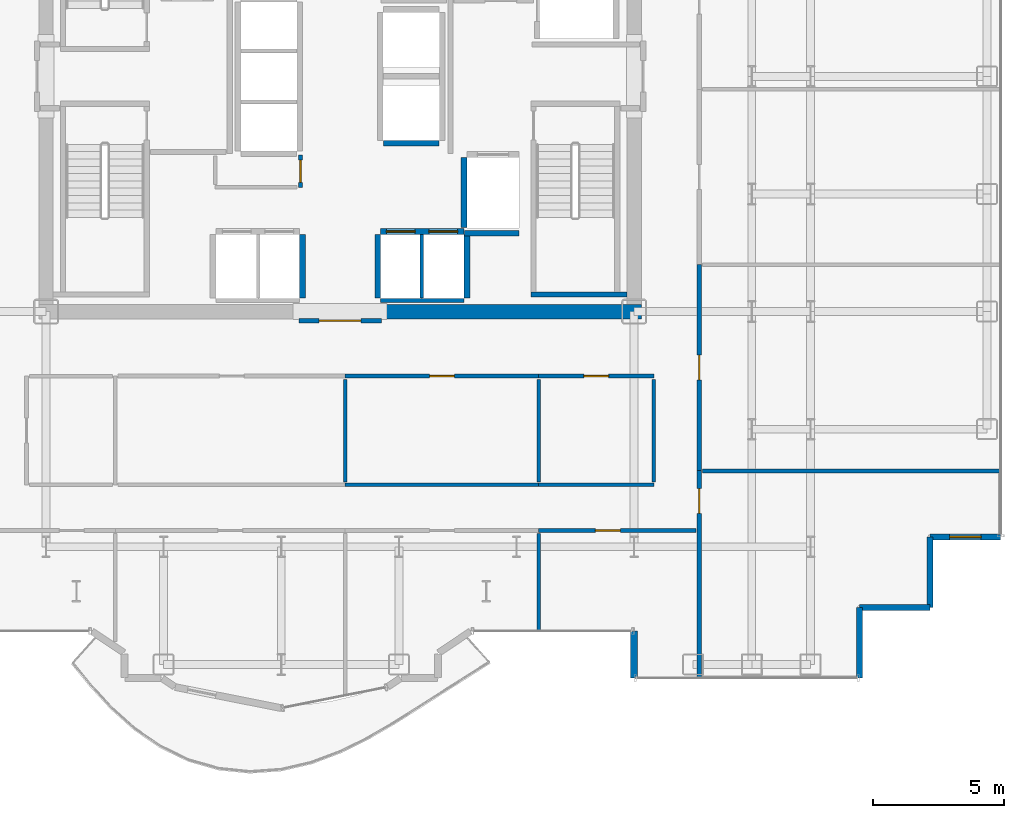
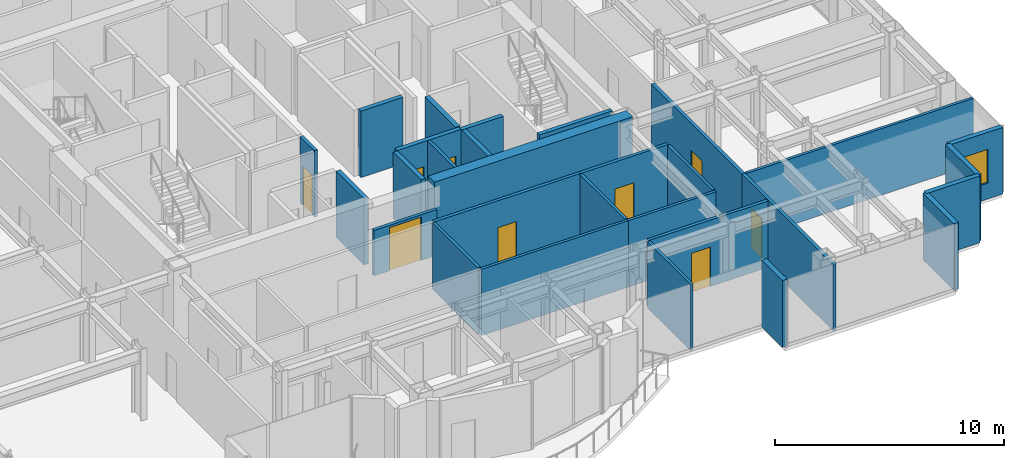
# One storey, part 17 of 23: 30 walls, 9 doors, 1 window, 10 openings.
"""IFC4 building model written with IfcOpenShell, lengths in metres."""

from ifc_helpers import new_model, si_unit, direction, frame, frame_2d, origin, place, context, subcontext, project, spatial, rectangle, extrude, source, transform, mapped, material, layer, layer_set, type_object, element, fill, save


model = new_model("IFC4")

# Units and contexts
model_context = context("Model", 3, precision=1e-05, world=origin(), true_north=direction((0.0, 1.0)))
body_context = subcontext(model_context, "Body", "Model", "MODEL_VIEW")
ifc_project = project(units=[si_unit("LENGTHUNIT", "METRE"), si_unit("AREAUNIT", "SQUARE_METRE"), si_unit("VOLUMEUNIT", "CUBIC_METRE"), si_unit("PLANEANGLEUNIT", "RADIAN"), si_unit("MASSUNIT", "GRAM", prefix="KILO")], contexts=[model_context])

# Site, building, storey
site_placement = place(None, origin())
site = spatial("IfcSite", under=ifc_project, at=site_placement, CompositionType="ELEMENT")
building_placement = place(site_placement, origin())
building = spatial("IfcBuilding", under=site, at=building_placement, Name="Nefas-Gora Pilgrimage Tower", CompositionType="ELEMENT")
storey_placement = place(building_placement, frame((0.0, 0.0, 164.0)))
storey = spatial("IfcBuildingStorey", under=building, at=storey_placement, Name="L40", CompositionType="ELEMENT", Elevation=164.0)

# Walls
ifc_material_1 = material(Name="Concrete C60/75", Category="concrete")
ifc_layer_1 = layer(ifc_material_1, 0.550048828125)
ifc_layer_set_1 = layer_set([ifc_layer_1], Name="Concrete C60/75")
wall_type_1 = type_object("IfcWallType", Name="SW-CORE-550", PredefinedType="SHEAR", material=ifc_layer_set_1)
shared_shape_1 = source(origin(), body_context, "Body", "SweptSolid", [
    extrude(rectangle(XDim=9.974853515625, YDim=0.550048828125, at=frame_2d((4.9873046875, 0.0))), origin(), (0.0, 0.0, 1.0), 3.800048828125),
])
wall_1_placement = place(storey_placement, frame((1.550048828125, -9.0, 0.0), z_axis=(0.0, 0.0, 1.0), x_axis=(1.0, 0.0, 0.0)))
element("IfcWall", 1, at=wall_1_placement, inside=storey, type_object=wall_type_1, Name="L40 Core Shear Wall S-East", PredefinedType="SHEAR", context=body_context, shape_type="MappedRepresentation", body=[
    mapped(shared_shape_1, transform((0.0, 0.0, 0.0), x_axis=(1.0, 0.0, 0.0), y_axis=(0.0, 1.0, 0.0), z_axis=(0.0, 0.0, 1.0), scale=1.0)),
])
ifc_material_2 = material(Name="Precast concrete C40/50", Category="concrete")
ifc_layer_2 = layer(ifc_material_2, 0.260009765625)
ifc_layer_set_2 = layer_set([ifc_layer_2], Name="Precast concrete C40/50")
wall_type_2 = type_object("IfcWallType", Name="EW-PORTAL-260", PredefinedType="SOLIDWALL", material=ifc_layer_set_2)
shared_shape_2 = source(origin(), body_context, "Body", "SweptSolid", [
    extrude(rectangle(XDim=1.800048828125, YDim=0.260009765625, at=frame_2d((0.89990234375, 0.0))), origin(), (0.0, 0.0, 1.0), 3.550048828125),
])
wall_2_placement = place(storey_placement, frame((11.25, -21.219970703125, 0.0), z_axis=(0.0, 0.0, 1.0), x_axis=(0.0, -1.0, 0.0)))
element("IfcWall", 2, at=wall_2_placement, inside=storey, type_object=wall_type_2, Name="L40 Lobe Shoulder Precast Spandrel Pier 1", PredefinedType="SOLIDWALL", context=body_context, shape_type="MappedRepresentation", body=[
    mapped(shared_shape_2, transform((0.0, 0.0, 0.0), x_axis=(1.0, 0.0, 0.0), y_axis=(0.0, 1.0, 0.0), z_axis=(0.0, 0.0, 1.0), scale=1.0)),
])
ifc_material_3 = material(Name="Precast concrete C45/55", Category="concrete")
ifc_layer_3 = layer(ifc_material_3, 0.239990234375)
ifc_layer_set_3 = layer_set([ifc_layer_3], Name="Precast concrete C45/55")
wall_type_3 = type_object("IfcWallType", Name="EW-SERR-240", PredefinedType="SHEAR", material=ifc_layer_set_3)
shared_shape_3 = source(origin(), body_context, "Body", "SweptSolid", [
    extrude(rectangle(XDim=2.699951171875, YDim=0.239990234375, at=frame_2d((1.35009765625, 0.0))), origin(), (0.0, 0.0, 1.0), 3.550048828125),
])
for number, where, z_axis, x_axis, name in (
    (3, (19.8701171875, -23.02001953125, 0.0), (0.0, 0.0, 1.0), (0.0, 1.0, 0.0), "L40 Serrated Corner Shear Pier Wall 2"),
    (4, (19.8701171875, -20.320068359375, 0.0), (0.0, 0.0, 1.0), (1.0, 0.0, 0.0), "L40 Serrated Corner Shear Pier Wall 3"),
    (5, (22.570068359375, -20.320068359375, 0.0), (0.0, 0.0, 1.0), (0.0, 1.0, 0.0), "L40 Serrated Corner Shear Pier Wall 4"),
):
    element("IfcWall", number, at=place(storey_placement, frame(where, z_axis=z_axis, x_axis=x_axis)), inside=storey, type_object=wall_type_3, Name=name, PredefinedType="SHEAR", context=body_context, shape_type="MappedRepresentation", body=[
        mapped(shared_shape_3, transform((0.0, 0.0, 0.0), x_axis=(1.0, 0.0, 0.0), y_axis=(0.0, 1.0, 0.0), z_axis=(0.0, 0.0, 1.0), scale=1.0)),
    ])

# Wall, opening, window
wall_3_placement = place(storey_placement, frame((22.570068359375, -17.6201171875, 0.0), z_axis=(0.0, 0.0, 1.0), x_axis=(1.0, 0.0, 0.0)))
wall_3 = element("IfcWall", 6, at=wall_3_placement, inside=storey, type_object=wall_type_3, Name="L40 Serrated Corner Shear Pier Wall 5", PredefinedType="SHEAR", context=body_context, shape_type="MappedRepresentation", body=[
    mapped(shared_shape_3, transform((0.0, 0.0, 0.0), x_axis=(1.0, 0.0, 0.0), y_axis=(0.0, 1.0, 0.0), z_axis=(0.0, 0.0, 1.0), scale=1.0)),
])
opening_1_placement = place(wall_3_placement, frame((0.75, 0.0, 0.85009765625)))
opening_1 = element("IfcOpeningElement", 7, at=opening_1_placement, cuts=wall_3, Name="Opening W-V1", PredefinedType="OPENING", context=body_context, shape_type="SweptSolid", body=[
    extrude(rectangle(XDim=1.199951171875, YDim=1.800048828125, at=frame_2d((0.60009765625, 0.89990234375))), frame((0.0, 0.1298828125, 0.0), z_axis=(0.0, -1.0, 0.0), x_axis=(1.0, 0.0, 0.0)), (0.0, 0.0, 1.0), 0.260009765625),
])
ifc_material_4 = material(Name="Dark ceramic-fritted operable aluminium-glass window", Category="aluminium")
window_type = type_object("IfcWindowType", Name="WIN-VENT-1200x1800", PartitioningType="SINGLE_PANEL", PredefinedType="WINDOW", material=ifc_material_4)
shared_shape_4 = source(origin(), body_context, "Body", "SweptSolid", [
    extrude(rectangle(XDim=1.199951171875, YDim=1.800048828125, at=frame_2d((0.60009765625, 0.89990234375))), frame((0.0, 0.030029296875, 0.0), z_axis=(0.0, -1.0, 0.0), x_axis=(1.0, 0.0, 0.0)), (0.0, 0.0, 1.0), 0.06005859375),
])
window_placement = place(opening_1_placement, origin())
window = element("IfcWindow", 8, at=window_placement, inside=storey, type_object=window_type, Name="L40 Operable Parallel-Outswing Window 5", OverallHeight=1.800048828125, OverallWidth=1.199951171875, PartitioningType="SINGLE_PANEL", PredefinedType="WINDOW", context=body_context, shape_type="MappedRepresentation", body=[
    mapped(shared_shape_4, transform((0.0, 0.0, 0.0), x_axis=(1.0, 0.0, 0.0), y_axis=(0.0, 1.0, 0.0), z_axis=(0.0, 0.0, 1.0), scale=1.0)),
])
fill(opening_1, window)

# Walls
ifc_material_5 = material(Name="Concrete C45/55", Category="concrete")
ifc_layer_4 = layer(ifc_material_5, 0.199951171875)
ifc_layer_set_4 = layer_set([ifc_layer_4], Name="Concrete C45/55")
wall_type_4 = type_object("IfcWallType", Name="IW-STAIR-200", PredefinedType="SOLIDWALL", material=ifc_layer_set_4)
shared_shape_5 = source(origin(), body_context, "Body", "SweptSolid", [
    extrude(rectangle(XDim=3.679931640625, YDim=0.199951171875, at=frame_2d((1.83984375, 0.0))), origin(), (0.0, 0.0, 1.0), 3.800048828125),
])
wall_4_placement = place(storey_placement, frame((7.300048828125, -8.35009765625, 0.0), z_axis=(0.0, 0.0, 1.0), x_axis=(1.0, 0.0, 0.0)))
element("IfcWall", 9, at=wall_4_placement, inside=storey, type_object=wall_type_4, Name="L40 Stairwell Shear Wall ST-02-far", PredefinedType="SOLIDWALL", context=body_context, shape_type="MappedRepresentation", body=[
    mapped(shared_shape_5, transform((0.0, 0.0, 0.0), x_axis=(1.0, 0.0, 0.0), y_axis=(0.0, 1.0, 0.0), z_axis=(0.0, 0.0, 1.0), scale=1.0)),
])
ifc_material_6 = material(Name="Concrete C40/50", Category="concrete")
ifc_layer_5 = layer(ifc_material_6, 0.219970703125)
ifc_layer_set_5 = layer_set([ifc_layer_5], Name="Concrete C40/50")
wall_type_5 = type_object("IfcWallType", Name="IW-SHAFT-220", PredefinedType="SOLIDWALL", material=ifc_layer_set_5)
shared_shape_6 = source(origin(), body_context, "Body", "SweptSolid", [
    extrude(rectangle(XDim=2.679931640625, YDim=0.219970703125, at=frame_2d((1.33984375, 0.0))), origin(), (0.0, 0.0, 1.0), 3.534912109375),
])
wall_5_placement = place(storey_placement, frame((4.739990234375, -3.110107421875, 0.0), z_axis=(0.0, 0.0, 1.0), x_axis=(0.0, -1.0, 0.0)))
element("IfcWall", 10, at=wall_5_placement, inside=storey, type_object=wall_type_5, Name="L40 Hoistway Wall FFL-02-W", PredefinedType="SOLIDWALL", context=body_context, shape_type="MappedRepresentation", body=[
    mapped(shared_shape_6, transform((0.0, 0.0, 0.0), x_axis=(1.0, 0.0, 0.0), y_axis=(0.0, 1.0, 0.0), z_axis=(0.0, 0.0, 1.0), scale=1.0)),
])

# Wall, openings, doors
shared_shape_7 = source(origin(), body_context, "Body", "SweptSolid", [
    extrude(rectangle(XDim=3.199951171875, YDim=0.219970703125, at=frame_2d((1.60009765625, 0.0))), origin(), (0.0, 0.0, 1.0), 3.534912109375),
])
wall_6_placement = place(storey_placement, frame((4.75, -5.93994140625, 0.0), z_axis=(0.0, 0.0, 1.0), x_axis=(-1.0, 0.0, 0.0)))
wall_6 = element("IfcWall", 11, at=wall_6_placement, inside=storey, type_object=wall_type_5, Name="L40 Hoistway Wall PL2-E-N", PredefinedType="SOLIDWALL", context=body_context, shape_type="MappedRepresentation", body=[
    mapped(shared_shape_7, transform((0.0, 0.0, 0.0), x_axis=(1.0, 0.0, 0.0), y_axis=(0.0, 1.0, 0.0), z_axis=(0.0, 0.0, 1.0), scale=1.0)),
])
opening_2_placement = place(wall_6_placement, frame((1.875, 0.0, 0.0)))
opening_2 = element("IfcOpeningElement", 12, at=opening_2_placement, cuts=wall_6, Name="Opening LD-01", PredefinedType="OPENING", context=body_context, shape_type="SweptSolid", body=[
    extrude(rectangle(XDim=1.10009765625, YDim=2.199951171875, at=frame_2d((0.550048828125, 1.10009765625))), frame((0.0, 0.119873046875, 0.0), z_axis=(0.0, -1.0, 0.0), x_axis=(1.0, 0.0, 0.0)), (0.0, 0.0, 1.0), 0.239990234375),
])
opening_3_placement = place(wall_6_placement, frame((0.25, 0.0, 0.0)))
opening_3 = element("IfcOpeningElement", 13, at=opening_3_placement, cuts=wall_6, Name="Opening LD-01", PredefinedType="OPENING", context=body_context, shape_type="SweptSolid", body=[
    extrude(rectangle(XDim=1.10009765625, YDim=2.199951171875, at=frame_2d((0.550048828125, 1.10009765625))), frame((0.0, 0.119873046875, 0.0), z_axis=(0.0, -1.0, 0.0), x_axis=(1.0, 0.0, 0.0)), (0.0, 0.0, 1.0), 0.239990234375),
])
ifc_material_7 = material(Name="Brushed stainless sliding lift landing door")
door_type_1 = type_object("IfcDoorType", Name="DR-LIFT-PASS-1100", OperationType="DOUBLE_DOOR_SLIDING", PredefinedType="DOOR", material=ifc_material_7)
shared_shape_8 = source(origin(), body_context, "Body", "SweptSolid", [
    extrude(rectangle(XDim=1.10009765625, YDim=2.199951171875, at=frame_2d((0.550048828125, 1.10009765625))), frame((0.0, 0.02490234375, 0.0), z_axis=(0.0, -1.0, 0.0), x_axis=(1.0, 0.0, 0.0)), (0.0, 0.0, 1.0), 0.050048828125),
])
door_1_placement = place(opening_2_placement, origin())
door_1 = element("IfcDoor", 14, at=door_1_placement, inside=storey, type_object=door_type_1, Name="L40 Sliding Lift Landing Door PL2-03", OperationType="DOUBLE_DOOR_SLIDING", OverallHeight=2.199951171875, OverallWidth=1.10009765625, PredefinedType="DOOR", context=body_context, shape_type="MappedRepresentation", body=[
    mapped(shared_shape_8, transform((0.0, 0.0, 0.0), x_axis=(1.0, 0.0, 0.0), y_axis=(0.0, 1.0, 0.0), z_axis=(0.0, 0.0, 1.0), scale=1.0)),
])
fill(opening_2, door_1)
door_2_placement = place(opening_3_placement, origin())
door_2 = element("IfcDoor", 15, at=door_2_placement, inside=storey, type_object=door_type_1, Name="L40 Sliding Lift Landing Door PL2-04", OperationType="DOUBLE_DOOR_SLIDING", OverallHeight=2.199951171875, OverallWidth=1.10009765625, PredefinedType="DOOR", context=body_context, shape_type="MappedRepresentation", body=[
    mapped(shared_shape_8, transform((0.0, 0.0, 0.0), x_axis=(1.0, 0.0, 0.0), y_axis=(0.0, 1.0, 0.0), z_axis=(0.0, 0.0, 1.0), scale=1.0)),
])
fill(opening_3, door_2)

# Walls
ifc_material_8 = material(Name="Gypsum acoustic stud partition")
ifc_layer_6 = layer(ifc_material_8, 0.159912109375)
ifc_layer_set_6 = layer_set([ifc_layer_6], Name="Gypsum acoustic stud partition")
wall_type_6 = type_object("IfcWallType", Name="IW-CORR-160", PredefinedType="PARTITIONING", material=ifc_layer_set_6)
shared_shape_9 = source(origin(), body_context, "Body", "SweptSolid", [
    extrude(rectangle(XDim=3.199951171875, YDim=0.159912109375, at=frame_2d((1.60009765625, 0.0))), origin(), (0.0, 0.0, 1.0), 2.425048828125),
])
wall_7_placement = place(storey_placement, frame((1.550048828125, -8.580078125, 0.0), z_axis=(0.0, 0.0, 1.0), x_axis=(1.0, 0.0, 0.0)))
element("IfcWall", 16, at=wall_7_placement, inside=storey, type_object=wall_type_6, Name="L40 Hoistway Wall PL2-E-S", PredefinedType="PARTITIONING", context=body_context, shape_type="MappedRepresentation", body=[
    mapped(shared_shape_9, transform((0.0, 0.0, 0.0), x_axis=(1.0, 0.0, 0.0), y_axis=(0.0, 1.0, 0.0), z_axis=(0.0, 0.0, 1.0), scale=1.0)),
])
shared_shape_10 = source(origin(), body_context, "Body", "SweptSolid", [
    extrude(rectangle(XDim=2.429931640625, YDim=0.219970703125, at=frame_2d((1.21484375, 0.0))), origin(), (0.0, 0.0, 1.0), 3.534912109375),
])
for number, where, z_axis, x_axis, name in (
    (17, (-1.43994140625, -8.489990234375, 0.0), (0.0, 0.0, 1.0), (0.0, 1.0, 0.0), "L40 Hoistway Wall PL2-W-E"),
    (18, (1.43994140625, -6.06005859375, 0.0), (0.0, 0.0, 1.0), (0.0, -1.0, 0.0), "L40 Hoistway Wall PL2-E-W"),
    (19, (4.860107421875, -8.489990234375, 0.0), (0.0, 0.0, 1.0), (0.0, 1.0, 0.0), "L40 Hoistway Wall PL2-E-E"),
):
    element("IfcWall", number, at=place(storey_placement, frame(where, z_axis=z_axis, x_axis=x_axis)), inside=storey, type_object=wall_type_5, Name=name, PredefinedType="SOLIDWALL", context=body_context, shape_type="MappedRepresentation", body=[
        mapped(shared_shape_10, transform((0.0, 0.0, 0.0), x_axis=(1.0, 0.0, 0.0), y_axis=(0.0, 1.0, 0.0), z_axis=(0.0, 0.0, 1.0), scale=1.0)),
    ])
ifc_material_9 = material(Name="Gypsum twin-stud partition")
ifc_layer_7 = layer(ifc_material_9, 0.139892578125)
ifc_layer_set_7 = layer_set([ifc_layer_7], Name="Gypsum twin-stud partition")
wall_type_7 = type_object("IfcWallType", Name="IW-UNIT-140", PredefinedType="PARTITIONING", material=ifc_layer_set_7)
shared_shape_11 = source(origin(), body_context, "Body", "SweptSolid", [
    extrude(rectangle(XDim=2.429931640625, YDim=0.139892578125, at=frame_2d((1.21484375, 0.0))), origin(), (0.0, 0.0, 1.0), 3.534912109375),
])
wall_8_placement = place(storey_placement, frame((3.125, -8.489990234375, 0.0), z_axis=(0.0, 0.0, 1.0), x_axis=(0.0, 1.0, 0.0)))
element("IfcWall", 20, at=wall_8_placement, inside=storey, type_object=wall_type_7, Name="L40 Hoistway Wall PL2-E-DIV", PredefinedType="PARTITIONING", context=body_context, shape_type="MappedRepresentation", body=[
    mapped(shared_shape_11, transform((0.0, 0.0, 0.0), x_axis=(1.0, 0.0, 0.0), y_axis=(0.0, 1.0, 0.0), z_axis=(0.0, 0.0, 1.0), scale=1.0)),
])
shared_shape_12 = source(origin(), body_context, "Body", "SweptSolid", [
    extrude(rectangle(XDim=2.130126953125, YDim=0.219970703125, at=frame_2d((1.06494140625, 0.0))), origin(), (0.0, 0.0, 1.0), 3.534912109375),
])
wall_9_placement = place(storey_placement, frame((1.659912109375, -2.56005859375, 0.0), z_axis=(0.0, 0.0, 1.0), x_axis=(1.0, 0.0, 0.0)))
element("IfcWall", 21, at=wall_9_placement, inside=storey, type_object=wall_type_5, Name="L40 Hoistway Wall OBS-01-S", PredefinedType="SOLIDWALL", context=body_context, shape_type="MappedRepresentation", body=[
    mapped(shared_shape_12, transform((0.0, 0.0, 0.0), x_axis=(1.0, 0.0, 0.0), y_axis=(0.0, 1.0, 0.0), z_axis=(0.0, 0.0, 1.0), scale=1.0)),
])
shared_shape_13 = source(origin(), body_context, "Body", "SweptSolid", [
    extrude(rectangle(XDim=2.09521484375, YDim=0.219970703125, at=frame_2d((1.047607421875, 0.0))), origin(), (0.0, 0.0, 1.0), 3.534912109375),
])
wall_10_placement = place(storey_placement, frame((4.7548828125, -6.0, 0.0), z_axis=(0.0, 0.0, 1.0), x_axis=(1.0, 0.0, 0.0)))
element("IfcWall", 22, at=wall_10_placement, inside=storey, type_object=wall_type_5, Name="L40 Riser Shaft Wall 3", PredefinedType="SOLIDWALL", context=body_context, shape_type="MappedRepresentation", body=[
    mapped(shared_shape_13, transform((0.0, 0.0, 0.0), x_axis=(1.0, 0.0, 0.0), y_axis=(0.0, 1.0, 0.0), z_axis=(0.0, 0.0, 1.0), scale=1.0)),
])

# Wall, opening, door
shared_shape_14 = source(origin(), body_context, "Body", "SweptSolid", [
    extrude(rectangle(XDim=1.25, YDim=0.159912109375, at=frame_2d((0.625, 0.0))), origin(), (0.0, 0.0, 1.0), 3.534912109375),
])
wall_11_placement = place(storey_placement, frame((-1.52001953125, -4.260009765625, 0.0), z_axis=(0.0, 0.0, 1.0), x_axis=(0.0, 1.0, 0.0)))
wall_11 = element("IfcWall", 23, at=wall_11_placement, inside=storey, type_object=wall_type_6, Name="L40 Pilgrim Baggage and Gear Vault Wall 20", PredefinedType="PARTITIONING", context=body_context, shape_type="MappedRepresentation", body=[
    mapped(shared_shape_14, transform((0.0, 0.0, 0.0), x_axis=(1.0, 0.0, 0.0), y_axis=(0.0, 1.0, 0.0), z_axis=(0.0, 0.0, 1.0), scale=1.0)),
])
opening_4_placement = place(wall_11_placement, frame((0.199951171875, 0.0, 0.0)))
opening_4 = element("IfcOpeningElement", 24, at=opening_4_placement, cuts=wall_11, Name="Opening ID-BT1", PredefinedType="OPENING", context=body_context, shape_type="SweptSolid", body=[
    extrude(rectangle(XDim=0.85009765625, YDim=2.10009765625, at=frame_2d((0.425048828125, 1.050048828125))), frame((0.0, 0.08984375, 0.0), z_axis=(0.0, -1.0, 0.0), x_axis=(1.0, 0.0, 0.0)), (0.0, 0.0, 1.0), 0.179931640625),
])
ifc_material_10 = material(Name="Moisture-resistant fire-rated timber door", Category="wood")
door_type_2 = type_object("IfcDoorType", Name="DR-INT-BATH-850", OperationType="NOTDEFINED", PredefinedType="DOOR", material=ifc_material_10)
shared_shape_15 = source(origin(), body_context, "Body", "SweptSolid", [
    extrude(rectangle(XDim=0.85009765625, YDim=2.10009765625, at=frame_2d((0.425048828125, 1.050048828125))), frame((0.0, 0.02490234375, 0.0), z_axis=(0.0, -1.0, 0.0), x_axis=(1.0, 0.0, 0.0)), (0.0, 0.0, 1.0), 0.050048828125),
])
door_3_placement = place(opening_4_placement, origin())
door_3 = element("IfcDoor", 25, at=door_3_placement, inside=storey, type_object=door_type_2, Name="L40 Pilgrim Baggage and Gear Vault Door 8", OperationType="SINGLE_SWING_LEFT", OverallHeight=2.10009765625, OverallWidth=0.85009765625, PredefinedType="DOOR", context=body_context, shape_type="MappedRepresentation", body=[
    mapped(shared_shape_15, transform((0.0, 0.0, 0.0), x_axis=(1.0, 0.0, 0.0), y_axis=(0.0, 1.0, 0.0), z_axis=(0.0, 0.0, 1.0), scale=1.0)),
])
fill(opening_4, door_3)

shared_shape_16 = source(origin(), body_context, "Body", "SweptSolid", [
    extrude(rectangle(XDim=6.025146484375, YDim=0.159912109375, at=frame_2d((3.0126953125, 0.0))), origin(), (0.0, 0.0, 1.0), 3.534912109375),
])
wall_12_placement = place(storey_placement, frame((7.594970703125, -17.3701171875, 0.0), z_axis=(0.0, 0.0, 1.0), x_axis=(1.0, 0.0, 0.0)))
wall_12 = element("IfcWall", 26, at=wall_12_placement, inside=storey, type_object=wall_type_6, Name="L40 Pilgrim Contemplative Lounge Partition Wall 80", PredefinedType="PARTITIONING", context=body_context, shape_type="MappedRepresentation", body=[
    mapped(shared_shape_16, transform((0.0, 0.0, 0.0), x_axis=(1.0, 0.0, 0.0), y_axis=(0.0, 1.0, 0.0), z_axis=(0.0, 0.0, 1.0), scale=1.0)),
])
opening_5_placement = place(wall_12_placement, frame((2.17626953125, 0.0, 0.0)))
opening_5 = element("IfcOpeningElement", 27, at=opening_5_placement, cuts=wall_12, Name="Opening ID-GR1", PredefinedType="OPENING", context=body_context, shape_type="SweptSolid", body=[
    extrude(rectangle(XDim=0.949951171875, YDim=2.10009765625, at=frame_2d((0.47509765625, 1.050048828125))), frame((0.0, 0.08984375, 0.0), z_axis=(0.0, -1.0, 0.0), x_axis=(1.0, 0.0, 0.0)), (0.0, 0.0, 1.0), 0.179931640625),
])
ifc_material_11 = material(Name="Solid core oak fire-rated guest entrance door")
door_type_3 = type_object("IfcDoorType", Name="DR-INT-GUEST-950", OperationType="NOTDEFINED", PredefinedType="DOOR", material=ifc_material_11)
shared_shape_17 = source(origin(), body_context, "Body", "SweptSolid", [
    extrude(rectangle(XDim=0.949951171875, YDim=2.10009765625, at=frame_2d((0.47509765625, 1.050048828125))), frame((0.0, 0.02490234375, 0.0), z_axis=(0.0, -1.0, 0.0), x_axis=(1.0, 0.0, 0.0)), (0.0, 0.0, 1.0), 0.050048828125),
])
door_4_placement = place(opening_5_placement, origin())
door_4 = element("IfcDoor", 28, at=door_4_placement, inside=storey, type_object=door_type_3, Name="L40 Pilgrim Contemplative Lounge Door 35", OperationType="SINGLE_SWING_RIGHT", OverallHeight=2.10009765625, OverallWidth=0.949951171875, PredefinedType="DOOR", context=body_context, shape_type="MappedRepresentation", body=[
    mapped(shared_shape_17, transform((0.0, 0.0, 0.0), x_axis=(1.0, 0.0, 0.0), y_axis=(0.0, 1.0, 0.0), z_axis=(0.0, 0.0, 1.0), scale=1.0)),
])
fill(opening_5, door_4)

shared_shape_18 = source(origin(), body_context, "Body", "SweptSolid", [
    extrude(rectangle(XDim=3.16015625, YDim=0.159912109375, at=frame_2d((1.580078125, 0.0))), origin(), (0.0, 0.0, 1.0), 2.425048828125),
])
wall_13_placement = place(storey_placement, frame((-1.580078125, -9.35009765625, 0.0), z_axis=(0.0, 0.0, 1.0), x_axis=(1.0, 0.0, 0.0)))
wall_13 = element("IfcWall", 29, at=wall_13_placement, inside=storey, type_object=wall_type_6, Name="L40 Central Lift Lobby South Portal Wall 16", PredefinedType="PARTITIONING", context=body_context, shape_type="MappedRepresentation", body=[
    mapped(shared_shape_18, transform((0.0, 0.0, 0.0), x_axis=(1.0, 0.0, 0.0), y_axis=(0.0, 1.0, 0.0), z_axis=(0.0, 0.0, 1.0), scale=1.0)),
])
opening_6_placement = place(wall_13_placement, frame((0.780029296875, 0.0, 0.0)))
opening_6 = element("IfcOpeningElement", 30, at=opening_6_placement, cuts=wall_13, Name="Opening ID-HL1", PredefinedType="OPENING", context=body_context, shape_type="SweptSolid", body=[
    extrude(rectangle(XDim=1.60009765625, YDim=2.300048828125, at=frame_2d((0.800048828125, 1.14990234375))), frame((0.0, 0.08984375, 0.0), z_axis=(0.0, -1.0, 0.0), x_axis=(1.0, 0.0, 0.0)), (0.0, 0.0, 1.0), 0.179931640625),
])
ifc_material_12 = material(Name="Double acoustic timber assembly hall door", Category="wood")
door_type_4 = type_object("IfcDoorType", Name="DR-INT-HALL-1600", OperationType="DOUBLE_DOOR_SINGLE_SWING", PredefinedType="DOOR", material=ifc_material_12)
shared_shape_19 = source(origin(), body_context, "Body", "SweptSolid", [
    extrude(rectangle(XDim=1.60009765625, YDim=2.300048828125, at=frame_2d((0.800048828125, 1.14990234375))), frame((0.0, 0.02490234375, 0.0), z_axis=(0.0, -1.0, 0.0), x_axis=(1.0, 0.0, 0.0)), (0.0, 0.0, 1.0), 0.050048828125),
])
door_5_placement = place(opening_6_placement, origin())
door_5 = element("IfcDoor", 31, at=door_5_placement, inside=storey, type_object=door_type_4, Name="L40 Central Lift Lobby South Portal Door 6", OperationType="DOUBLE_DOOR_SINGLE_SWING", OverallHeight=2.300048828125, OverallWidth=1.60009765625, PredefinedType="DOOR", context=body_context, shape_type="MappedRepresentation", body=[
    mapped(shared_shape_19, transform((0.0, 0.0, 0.0), x_axis=(1.0, 0.0, 0.0), y_axis=(0.0, 1.0, 0.0), z_axis=(0.0, 0.0, 1.0), scale=1.0)),
])
fill(opening_6, door_5)

# Walls
shared_shape_20 = source(origin(), body_context, "Body", "SweptSolid", [
    extrude(rectangle(XDim=11.429931640625, YDim=0.139892578125, at=frame_2d((5.71484375, 0.0))), origin(), (0.0, 0.0, 1.0), 3.534912109375),
])
wall_14_placement = place(storey_placement, frame((13.860107421875, -15.097412109375, 0.0), z_axis=(0.0, 0.0, 1.0), x_axis=(1.0, 0.0, 0.0)))
element("IfcWall", 32, at=wall_14_placement, inside=storey, type_object=wall_type_7, Name="L40 Pilgrim Contemplative Lounge Partition Wall 38", PredefinedType="PARTITIONING", context=body_context, shape_type="MappedRepresentation", body=[
    mapped(shared_shape_20, transform((0.0, 0.0, 0.0), x_axis=(1.0, 0.0, 0.0), y_axis=(0.0, 1.0, 0.0), z_axis=(0.0, 0.0, 1.0), scale=1.0)),
])
shared_shape_21 = source(origin(), body_context, "Body", "SweptSolid", [
    extrude(rectangle(XDim=3.929931640625, YDim=0.139892578125, at=frame_2d((1.96484375, 0.0))), origin(), (0.0, 0.0, 1.0), 3.534912109375),
])
for number, where, z_axis, x_axis, name in (
    (33, (0.195068359375, -15.52001953125, 0.0), (0.0, 0.0, 1.0), (0.0, 1.0, 0.0), "L40 Pilgrim Contemplative Lounge Partition Wall 74"),
    (34, (7.594970703125, -15.52001953125, 0.0), (0.0, 0.0, 1.0), (0.0, 1.0, 0.0), "L40 Pilgrim Contemplative Lounge Partition Wall 79"),
    (35, (12.0, -15.52001953125, 0.0), (0.0, 0.0, 1.0), (0.0, 1.0, 0.0), "L40 Pilgrim Contemplative Lounge Partition Wall 83"),
):
    element("IfcWall", number, at=place(storey_placement, frame(where, z_axis=z_axis, x_axis=x_axis)), inside=storey, type_object=wall_type_7, Name=name, PredefinedType="PARTITIONING", context=body_context, shape_type="MappedRepresentation", body=[
        mapped(shared_shape_21, transform((0.0, 0.0, 0.0), x_axis=(1.0, 0.0, 0.0), y_axis=(0.0, 1.0, 0.0), z_axis=(0.0, 0.0, 1.0), scale=1.0)),
    ])

# Wall, opening, door
shared_shape_22 = source(origin(), body_context, "Body", "SweptSolid", [
    extrude(rectangle(XDim=7.409912109375, YDim=0.159912109375, at=frame_2d((3.705078125, 0.0))), origin(), (0.0, 0.0, 1.0), 3.534912109375),
])
wall_15_placement = place(storey_placement, frame((0.195068359375, -11.469970703125, 0.0), z_axis=(0.0, 0.0, 1.0), x_axis=(1.0, 0.0, 0.0)))
wall_15 = element("IfcWall", 36, at=wall_15_placement, inside=storey, type_object=wall_type_6, Name="L40 Pilgrim Contemplative Lounge Partition Wall 77", PredefinedType="PARTITIONING", context=body_context, shape_type="MappedRepresentation", body=[
    mapped(shared_shape_22, transform((0.0, 0.0, 0.0), x_axis=(1.0, 0.0, 0.0), y_axis=(0.0, 1.0, 0.0), z_axis=(0.0, 0.0, 1.0), scale=1.0)),
])
opening_7_placement = place(wall_15_placement, frame((3.22998046875, 0.0, 0.0)))
opening_7 = element("IfcOpeningElement", 37, at=opening_7_placement, cuts=wall_15, Name="Opening ID-GR1", PredefinedType="OPENING", context=body_context, shape_type="SweptSolid", body=[
    extrude(rectangle(XDim=0.949951171875, YDim=2.10009765625, at=frame_2d((0.47509765625, 1.050048828125))), frame((0.0, 0.08984375, 0.0), z_axis=(0.0, -1.0, 0.0), x_axis=(1.0, 0.0, 0.0)), (0.0, 0.0, 1.0), 0.179931640625),
])
door_6_placement = place(opening_7_placement, origin())
door_6 = element("IfcDoor", 38, at=door_6_placement, inside=storey, type_object=door_type_3, Name="L40 Pilgrim Contemplative Lounge Door 34", OperationType="SINGLE_SWING_LEFT", OverallHeight=2.10009765625, OverallWidth=0.949951171875, PredefinedType="DOOR", context=body_context, shape_type="MappedRepresentation", body=[
    mapped(shared_shape_17, transform((0.0, 0.0, 0.0), x_axis=(1.0, 0.0, 0.0), y_axis=(0.0, 1.0, 0.0), z_axis=(0.0, 0.0, 1.0), scale=1.0)),
])
fill(opening_7, door_6)

# Walls
shared_shape_23 = source(origin(), body_context, "Body", "SweptSolid", [
    extrude(rectangle(XDim=7.409912109375, YDim=0.139892578125, at=frame_2d((3.705078125, 0.0))), origin(), (0.0, 0.0, 1.0), 3.534912109375),
])
wall_16_placement = place(storey_placement, frame((0.195068359375, -15.6298828125, 0.0), z_axis=(0.0, 0.0, 1.0), x_axis=(1.0, 0.0, 0.0)))
element("IfcWall", 39, at=wall_16_placement, inside=storey, type_object=wall_type_7, Name="L40 Pilgrim Contemplative Lounge Partition Wall 78", PredefinedType="PARTITIONING", context=body_context, shape_type="MappedRepresentation", body=[
    mapped(shared_shape_23, transform((0.0, 0.0, 0.0), x_axis=(1.0, 0.0, 0.0), y_axis=(0.0, 1.0, 0.0), z_axis=(0.0, 0.0, 1.0), scale=1.0)),
])
shared_shape_24 = source(origin(), body_context, "Body", "SweptSolid", [
    extrude(rectangle(XDim=3.75, YDim=0.139892578125, at=frame_2d((1.875, 0.0))), origin(), (0.0, 0.0, 1.0), 3.534912109375),
])
wall_17_placement = place(storey_placement, frame((7.594970703125, -21.239990234375, 0.0), z_axis=(0.0, 0.0, 1.0), x_axis=(0.0, 1.0, 0.0)))
element("IfcWall", 40, at=wall_17_placement, inside=storey, type_object=wall_type_7, Name="L40 Pilgrim Contemplative Lounge Partition Wall 76", PredefinedType="PARTITIONING", context=body_context, shape_type="MappedRepresentation", body=[
    mapped(shared_shape_24, transform((0.0, 0.0, 0.0), x_axis=(1.0, 0.0, 0.0), y_axis=(0.0, 1.0, 0.0), z_axis=(0.0, 0.0, 1.0), scale=1.0)),
])

# Wall, opening, door
shared_shape_25 = source(origin(), body_context, "Body", "SweptSolid", [
    extrude(rectangle(XDim=7.95263671875, YDim=0.159912109375, at=frame_2d((3.976318359375, 0.0))), origin(), (0.0, 0.0, 1.0), 3.534912109375),
])
wall_18_placement = place(storey_placement, frame((13.739990234375, -23.0400390625, 0.0), z_axis=(0.0, 0.0, 1.0), x_axis=(0.0, 1.0, 0.0)))
wall_18 = element("IfcWall", 41, at=wall_18_placement, inside=storey, type_object=wall_type_6, Name="L40 Pilgrim Contemplative Lounge Partition Wall 37", PredefinedType="PARTITIONING", context=body_context, shape_type="MappedRepresentation", body=[
    mapped(shared_shape_25, transform((0.0, 0.0, 0.0), x_axis=(1.0, 0.0, 0.0), y_axis=(0.0, 1.0, 0.0), z_axis=(0.0, 0.0, 1.0), scale=1.0)),
])
opening_8_placement = place(wall_18_placement, frame((6.316162109375, 0.0, 0.0)))
opening_8 = element("IfcOpeningElement", 42, at=opening_8_placement, cuts=wall_18, Name="Opening ID-GR1", PredefinedType="OPENING", context=body_context, shape_type="SweptSolid", body=[
    extrude(rectangle(XDim=0.949951171875, YDim=2.10009765625, at=frame_2d((0.47509765625, 1.050048828125))), frame((0.0, 0.08984375, 0.0), z_axis=(0.0, -1.0, 0.0), x_axis=(1.0, 0.0, 0.0)), (0.0, 0.0, 1.0), 0.179931640625),
])
door_7_placement = place(opening_8_placement, origin())
door_7 = element("IfcDoor", 43, at=door_7_placement, inside=storey, type_object=door_type_3, Name="L40 Pilgrim Contemplative Lounge Door 16", OperationType="SINGLE_SWING_LEFT", OverallHeight=2.10009765625, OverallWidth=0.949951171875, PredefinedType="DOOR", context=body_context, shape_type="MappedRepresentation", body=[
    mapped(shared_shape_17, transform((0.0, 0.0, 0.0), x_axis=(1.0, 0.0, 0.0), y_axis=(0.0, 1.0, 0.0), z_axis=(0.0, 0.0, 1.0), scale=1.0)),
])
fill(opening_8, door_7)

shared_shape_26 = source(origin(), body_context, "Body", "SweptSolid", [
    extrude(rectangle(XDim=7.892333984375, YDim=0.159912109375, at=frame_2d((3.9462890625, 0.0))), origin(), (0.0, 0.0, 1.0), 3.534912109375),
])
wall_19_placement = place(storey_placement, frame((13.739990234375, -15.08740234375, 0.0), z_axis=(0.0, 0.0, 1.0), x_axis=(0.0, 1.0, 0.0)))
wall_19 = element("IfcWall", 44, at=wall_19_placement, inside=storey, type_object=wall_type_6, Name="L40 Pilgrim Contemplative Lounge Partition Wall 39", PredefinedType="PARTITIONING", context=body_context, shape_type="MappedRepresentation", body=[
    mapped(shared_shape_26, transform((0.0, 0.0, 0.0), x_axis=(1.0, 0.0, 0.0), y_axis=(0.0, 1.0, 0.0), z_axis=(0.0, 0.0, 1.0), scale=1.0)),
])
opening_9_placement = place(wall_19_placement, frame((3.47119140625, 0.0, 0.0)))
opening_9 = element("IfcOpeningElement", 45, at=opening_9_placement, cuts=wall_19, Name="Opening ID-GR1", PredefinedType="OPENING", context=body_context, shape_type="SweptSolid", body=[
    extrude(rectangle(XDim=0.949951171875, YDim=2.10009765625, at=frame_2d((0.47509765625, 1.050048828125))), frame((0.0, 0.08984375, 0.0), z_axis=(0.0, -1.0, 0.0), x_axis=(1.0, 0.0, 0.0)), (0.0, 0.0, 1.0), 0.179931640625),
])
door_8_placement = place(opening_9_placement, origin())
door_8 = element("IfcDoor", 46, at=door_8_placement, inside=storey, type_object=door_type_3, Name="L40 Pilgrim Contemplative Lounge Door 17", OperationType="SINGLE_SWING_RIGHT", OverallHeight=2.10009765625, OverallWidth=0.949951171875, PredefinedType="DOOR", context=body_context, shape_type="MappedRepresentation", body=[
    mapped(shared_shape_17, transform((0.0, 0.0, 0.0), x_axis=(1.0, 0.0, 0.0), y_axis=(0.0, 1.0, 0.0), z_axis=(0.0, 0.0, 1.0), scale=1.0)),
])
fill(opening_9, door_8)

shared_shape_27 = source(origin(), body_context, "Body", "SweptSolid", [
    extrude(rectangle(XDim=4.4150390625, YDim=0.159912109375, at=frame_2d((2.20751953125, 0.0))), origin(), (0.0, 0.0, 1.0), 3.534912109375),
])
wall_20_placement = place(storey_placement, frame((7.594970703125, -11.469970703125, 0.0), z_axis=(0.0, 0.0, 1.0), x_axis=(1.0, 0.0, 0.0)))
wall_20 = element("IfcWall", 47, at=wall_20_placement, inside=storey, type_object=wall_type_6, Name="L40 Pilgrim Contemplative Lounge Partition Wall 81", PredefinedType="PARTITIONING", context=body_context, shape_type="MappedRepresentation", body=[
    mapped(shared_shape_27, transform((0.0, 0.0, 0.0), x_axis=(1.0, 0.0, 0.0), y_axis=(0.0, 1.0, 0.0), z_axis=(0.0, 0.0, 1.0), scale=1.0)),
])
opening_10_placement = place(wall_20_placement, frame((1.732421875, 0.0, 0.0)))
opening_10 = element("IfcOpeningElement", 48, at=opening_10_placement, cuts=wall_20, Name="Opening ID-GR1", PredefinedType="OPENING", context=body_context, shape_type="SweptSolid", body=[
    extrude(rectangle(XDim=0.949951171875, YDim=2.10009765625, at=frame_2d((0.47509765625, 1.050048828125))), frame((0.0, 0.08984375, 0.0), z_axis=(0.0, -1.0, 0.0), x_axis=(1.0, 0.0, 0.0)), (0.0, 0.0, 1.0), 0.179931640625),
])
door_9_placement = place(opening_10_placement, origin())
door_9 = element("IfcDoor", 49, at=door_9_placement, inside=storey, type_object=door_type_3, Name="L40 Pilgrim Contemplative Lounge Door 36", OperationType="SINGLE_SWING_LEFT", OverallHeight=2.10009765625, OverallWidth=0.949951171875, PredefinedType="DOOR", context=body_context, shape_type="MappedRepresentation", body=[
    mapped(shared_shape_17, transform((0.0, 0.0, 0.0), x_axis=(1.0, 0.0, 0.0), y_axis=(0.0, 1.0, 0.0), z_axis=(0.0, 0.0, 1.0), scale=1.0)),
])
fill(opening_10, door_9)

# Wall
shared_shape_28 = source(origin(), body_context, "Body", "SweptSolid", [
    extrude(rectangle(XDim=4.4150390625, YDim=0.139892578125, at=frame_2d((2.20751953125, 0.0))), origin(), (0.0, 0.0, 1.0), 3.534912109375),
])
wall_21_placement = place(storey_placement, frame((7.594970703125, -15.6298828125, 0.0), z_axis=(0.0, 0.0, 1.0), x_axis=(1.0, 0.0, 0.0)))
element("IfcWall", 50, at=wall_21_placement, inside=storey, type_object=wall_type_7, Name="L40 Pilgrim Contemplative Lounge Partition Wall 82", PredefinedType="PARTITIONING", context=body_context, shape_type="MappedRepresentation", body=[
    mapped(shared_shape_28, transform((0.0, 0.0, 0.0), x_axis=(1.0, 0.0, 0.0), y_axis=(0.0, 1.0, 0.0), z_axis=(0.0, 0.0, 1.0), scale=1.0)),
])

save(model, "model.ifc")
